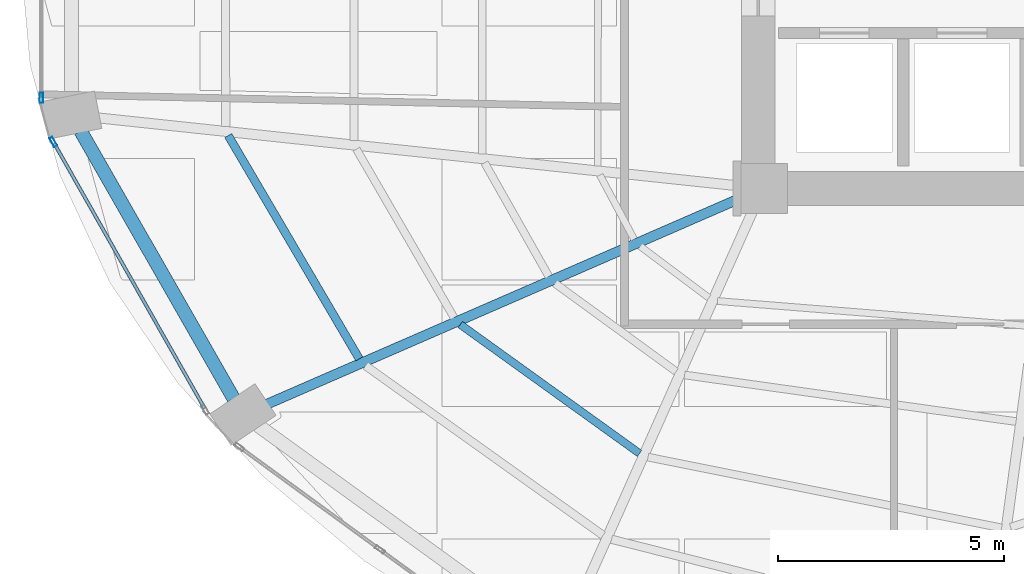
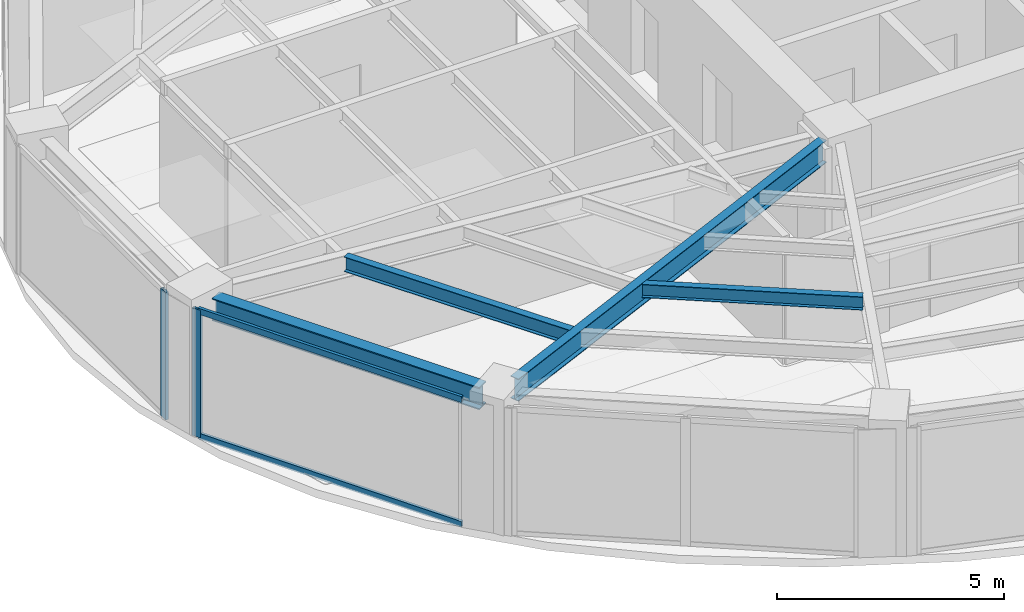
# One storey, part 3 of 23: 4 beams, 4 members, 2 elements without a shape of their own.
"""IFC4 building model written with IfcOpenShell, lengths in metres."""

from ifc_helpers import new_model, si_unit, direction, frame, origin, origin_2d, place, context, subcontext, project, spatial, hollow_rectangle, i_section, extrude, material, layer, layer_set, material_profile, profile_set, type_object, element, aggregate, save


model = new_model("IFC4")

# Units and contexts
model_context = context("Model", 3, precision=1e-05, world=origin(), true_north=direction((0.0, 1.0)))
body_context = subcontext(model_context, "Body", "Model", "MODEL_VIEW")
ifc_project = project(units=[si_unit("LENGTHUNIT", "METRE"), si_unit("AREAUNIT", "SQUARE_METRE"), si_unit("VOLUMEUNIT", "CUBIC_METRE"), si_unit("PLANEANGLEUNIT", "RADIAN"), si_unit("MASSUNIT", "GRAM", prefix="KILO")], contexts=[model_context])

# Site, building, storey
site_placement = place(None, origin())
site = spatial("IfcSite", under=ifc_project, at=site_placement, CompositionType="ELEMENT")
building_placement = place(site_placement, origin())
building = spatial("IfcBuilding", under=site, at=building_placement, Name="Lazwardi Medical Tower", CompositionType="ELEMENT")
storey_placement = place(building_placement, frame((0.0, 0.0, 85.39208984375)))
storey = spatial("IfcBuildingStorey", under=building, at=storey_placement, Name="L21", CompositionType="ELEMENT", Elevation=85.39208984375)

# Beams
ifc_material_1 = material(Name="Steel S355", Category="steel")
ifc_material_profile_1 = material_profile(ifc_material_1, i_section(OverallWidth=0.300048828125, OverallDepth=0.60009765625, WebThickness=0.015380859375, FlangeThickness=0.030029296875, at=origin_2d()), Name="HEB 600")
ifc_profile_set_1 = profile_set([ifc_material_profile_1], Name="Steel S355")
beam_type_1 = type_object("IfcBeamType", Name="BM-RB-Z2", PredefinedType="BEAM", material=ifc_profile_set_1)
beam_1_placement = place(storey_placement, frame((11.3408203125, 21.664306640625, 3.1279296875), z_axis=(0.496637551254, -0.867958030486, 0.0), x_axis=(0.867958030486, 0.496637551254, 0.0)))
element("IfcBeam", 1, at=beam_1_placement, inside=storey, type_object=beam_type_1, Name="Ring beam RB-03 B13 L21", PredefinedType="BEAM", context=body_context, shape_type="SweptSolid", body=[
    extrude(i_section(OverallWidth=0.300048828125, OverallDepth=0.60009765625, WebThickness=0.015380859375, FlangeThickness=0.030029296875, at=origin_2d()), origin(), (0.0, 0.0, 1.0), 6.801025390625),
])
ifc_material_profile_2 = material_profile(ifc_material_1, i_section(OverallWidth=0.219970703125, OverallDepth=0.60009765625, WebThickness=0.011962890625, FlangeThickness=0.01904296875, at=origin_2d()), Name="IPE 600")
ifc_profile_set_2 = profile_set([ifc_material_profile_2], Name="Steel S355")
beam_type_2 = type_object("IfcBeamType", Name="BM-RG-W1", PredefinedType="BEAM", material=ifc_profile_set_2)
beam_2_placement = place(storey_placement, frame((15.4541015625, 15.63671875, 3.1279296875), z_axis=(0.916941336121, 0.399022037127, 0.0), x_axis=(-0.399022037127, 0.916941336121, 0.0)))
element("IfcBeam", 2, at=beam_2_placement, inside=storey, type_object=beam_type_2, Name="Radial girder RG-02 R14 L21", PredefinedType="BEAM", context=body_context, shape_type="SweptSolid", body=[
    extrude(i_section(OverallWidth=0.219970703125, OverallDepth=0.60009765625, WebThickness=0.011962890625, FlangeThickness=0.01904296875, at=origin_2d()), origin(), (0.0, 0.0, 1.0), 11.40234375),
])
ifc_material_profile_3 = material_profile(ifc_material_1, i_section(OverallWidth=0.179931640625, OverallDepth=0.39990234375, WebThickness=0.008544921875, FlangeThickness=0.013427734375, at=origin_2d()), Name="IPE 400")
ifc_profile_set_3 = profile_set([ifc_material_profile_3], Name="Steel S355")
beam_type_3 = type_object("IfcBeamType", Name="BM-SJ-01", PredefinedType="JOIST", material=ifc_profile_set_3)
beam_3_placement = place(storey_placement, frame((14.597900390625, 21.56787109375, 3.22802734375), z_axis=(0.506195045201, -0.862419025888, 0.0), x_axis=(0.862419025888, 0.506195045201, 0.0)))
element("IfcBeam", 3, at=beam_3_placement, inside=storey, type_object=beam_type_3, Name="Secondary joist SJ-01 R1 B13 L21", PredefinedType="JOIST", context=body_context, shape_type="SweptSolid", body=[
    extrude(i_section(OverallWidth=0.179931640625, OverallDepth=0.39990234375, WebThickness=0.008544921875, FlangeThickness=0.013427734375, at=origin_2d()), origin(), (0.0, 0.0, 1.0), 5.71728515625),
])
ifc_material_profile_4 = material_profile(ifc_material_1, i_section(OverallWidth=0.169921875, OverallDepth=0.360107421875, WebThickness=0.008056640625, FlangeThickness=0.0126953125, at=origin_2d()), Name="IPE 360")
ifc_profile_set_4 = profile_set([ifc_material_profile_4], Name="Steel S355")
beam_type_4 = type_object("IfcBeamType", Name="BM-SJ-02", PredefinedType="JOIST", material=ifc_profile_set_4)
beam_4_placement = place(storey_placement, frame((19.721435546875, 17.395263671875, 3.247802734375), z_axis=(0.811888517177, -0.583812500446, 0.0), x_axis=(0.583812500446, 0.811888517177, 0.0)))
element("IfcBeam", 4, at=beam_4_placement, inside=storey, type_object=beam_type_4, Name="Secondary joist SJ-02 R2 B14 L21", PredefinedType="JOIST", context=body_context, shape_type="SweptSolid", body=[
    extrude(i_section(OverallWidth=0.169921875, OverallDepth=0.360107421875, WebThickness=0.008056640625, FlangeThickness=0.0126953125, at=origin_2d()), origin(), (0.0, 0.0, 1.0), 4.874755859375),
])

# Curtain wall, member
ifc_material_2 = material(Name="Anodised bronze aluminium and solar control glazing", Category="aluminium")
ifc_layer = layer(ifc_material_2, 0.195068359375)
ifc_layer_set = layer_set([ifc_layer], Name="Anodised bronze aluminium and solar control glazing")
curtain_wall_type = type_object("IfcCurtainWallType", Name="CW-SYS-03", PredefinedType="NOTDEFINED", material=ifc_layer_set)
curtain_wall_1_placement = place(storey_placement, origin())
curtain_wall_1 = element("IfcCurtainWall", 5, at=curtain_wall_1_placement, inside=storey, type_object=curtain_wall_type, Name="L21 Unitised bronze curtain wall CW-03", PredefinedType="NOTDEFINED")
ifc_material_3 = material(Name="Anodised bronze aluminium", Category="aluminium")
ifc_material_profile_5 = material_profile(ifc_material_3, hollow_rectangle(XDim=0.074951171875, YDim=0.219970703125, WallThickness=0.00390625, at=origin_2d()), Name="ALU-MULLION 220x75x4")
ifc_profile_set_5 = profile_set([ifc_material_profile_5], Name="Anodised bronze aluminium")
member_type_1 = type_object("IfcMemberType", Name="CW-MUL-01", PredefinedType="MULLION", material=ifc_profile_set_5)
member_1_placement = place(storey_placement, frame((10.471923828125, 22.402587890625, 0.0), z_axis=(0.0, 0.0, 1.0), x_axis=(1.0, 0.0, 0.0)))
member_1 = element("IfcMember", 6, at=member_1_placement, type_object=member_type_1, Name="CW-03 mullion 2", PredefinedType="MULLION", context=body_context, shape_type="SweptSolid", body=[
    extrude(hollow_rectangle(XDim=0.074951171875, YDim=0.219970703125, WallThickness=0.00390625, at=origin_2d()), origin(), (0.0, 0.0, 1.0), 3.427978515625),
])
aggregate(curtain_wall_1, [member_1])

# Curtain wall, members
curtain_wall_2_placement = place(storey_placement, origin())
curtain_wall_2 = element("IfcCurtainWall", 7, at=curtain_wall_2_placement, inside=storey, type_object=curtain_wall_type, Name="L21 Unitised bronze curtain wall CW-03", PredefinedType="NOTDEFINED")
member_2_placement = place(storey_placement, frame((10.7373046875, 21.42626953125, 0.0), z_axis=(0.0, 0.0, 1.0), x_axis=(0.869687265712, 0.493603140041, 0.0)))
member_2 = element("IfcMember", 8, at=member_2_placement, type_object=member_type_1, Name="CW-03 mullion 1", PredefinedType="MULLION", context=body_context, shape_type="SweptSolid", body=[
    extrude(hollow_rectangle(XDim=0.074951171875, YDim=0.219970703125, WallThickness=0.00390625, at=origin_2d()), origin(), (0.0, 0.0, 1.0), 3.427978515625),
])
ifc_material_profile_6 = material_profile(ifc_material_3, hollow_rectangle(XDim=0.074951171875, YDim=0.159912109375, WallThickness=0.00390625, at=origin_2d()), Name="ALU-TRANSOM 160x75x4")
ifc_profile_set_6 = profile_set([ifc_material_profile_6], Name="Anodised bronze aluminium")
member_type_2 = type_object("IfcMemberType", Name="CW-TRN-01", PredefinedType="USERDEFINED", material=ifc_profile_set_6)
member_3_placement = place(storey_placement, frame((10.755859375, 21.3935546875, 0.037353515625), z_axis=(0.493614427365, -0.869680859337, 0.0), x_axis=(0.869680859337, 0.493614427365, 0.0)))
member_3 = element("IfcMember", 9, at=member_3_placement, type_object=member_type_2, Name="CW-03 transom 1.1", ObjectType="TRANSOM", PredefinedType="USERDEFINED", context=body_context, shape_type="SweptSolid", body=[
    extrude(hollow_rectangle(XDim=0.074951171875, YDim=0.159912109375, WallThickness=0.00390625, at=origin_2d()), origin(), (0.0, 0.0, 1.0), 6.72314453125),
])
member_4_placement = place(storey_placement, frame((10.755859375, 21.3935546875, 3.390380859375), z_axis=(0.493614427365, -0.869680859337, 0.0), x_axis=(0.869680859337, 0.493614427365, 0.0)))
member_4 = element("IfcMember", 10, at=member_4_placement, type_object=member_type_2, Name="CW-03 transom 1.2", ObjectType="TRANSOM", PredefinedType="USERDEFINED", context=body_context, shape_type="SweptSolid", body=[
    extrude(hollow_rectangle(XDim=0.074951171875, YDim=0.159912109375, WallThickness=0.00390625, at=origin_2d()), origin(), (0.0, 0.0, 1.0), 6.72314453125),
])
aggregate(curtain_wall_2, [member_2, member_3, member_4])

save(model, "model.ifc")
